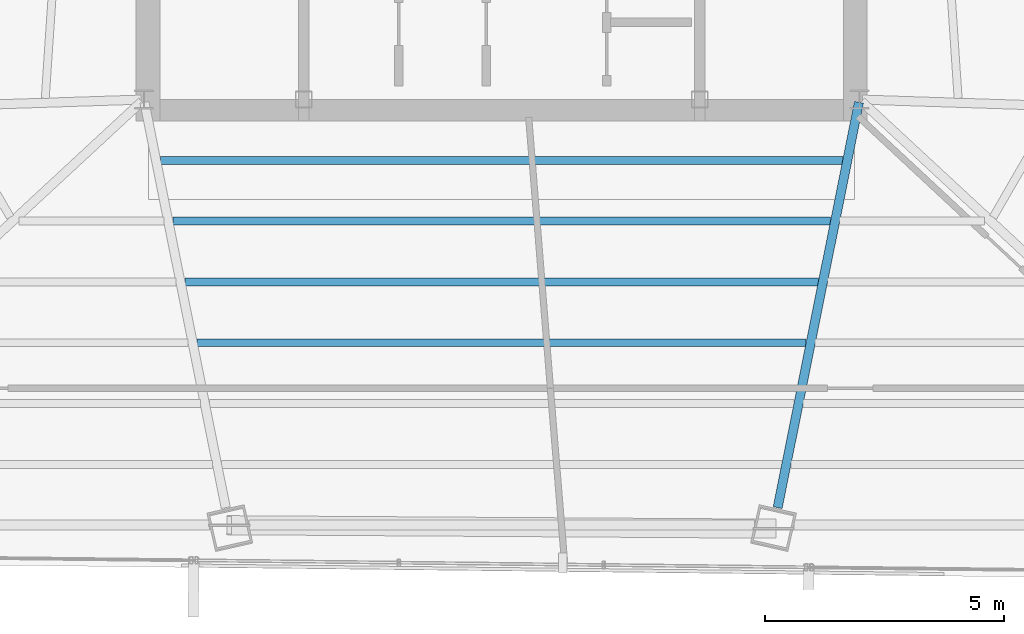
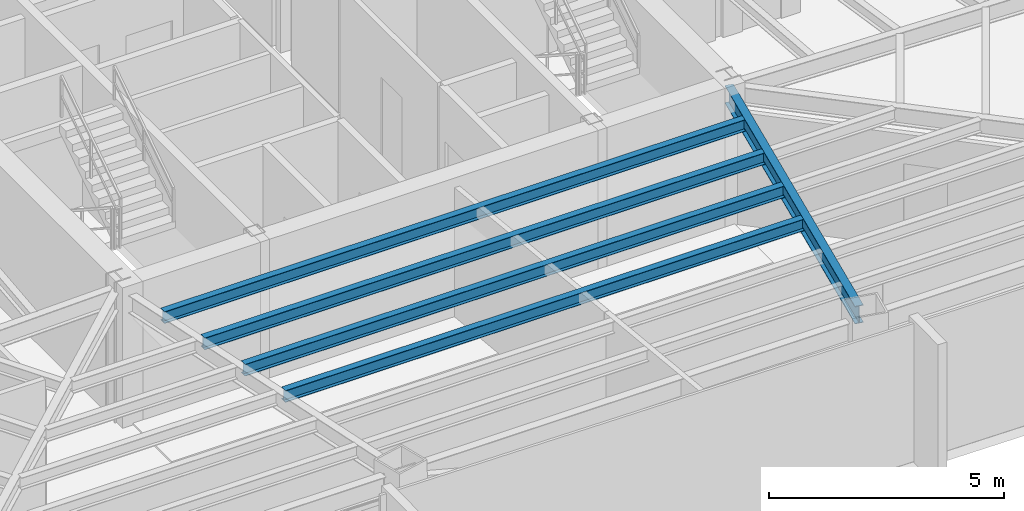
# One storey, part 11 of 41: 5 beams.
"""IFC4 building model written with IfcOpenShell, lengths in metres."""

from ifc_helpers import new_model, si_unit, direction, frame, origin, origin_2d, place, context, subcontext, project, spatial, i_section, extrude, source, transform, mapped, material, material_profile, profile_set, type_object, type_shapes, element, save


model = new_model("IFC4")

# Units and contexts
model_context = context("Model", 3, precision=1e-05, world=origin(), true_north=direction((0.0, 1.0)))
body_context = subcontext(model_context, "Body", "Model", "MODEL_VIEW")
ifc_project = project(units=[si_unit("LENGTHUNIT", "METRE"), si_unit("AREAUNIT", "SQUARE_METRE"), si_unit("VOLUMEUNIT", "CUBIC_METRE"), si_unit("PLANEANGLEUNIT", "RADIAN"), si_unit("MASSUNIT", "GRAM", prefix="KILO")], contexts=[model_context])

# Site, building, storey
site_placement = place(None, origin())
site = spatial("IfcSite", under=ifc_project, at=site_placement, CompositionType="ELEMENT")
building_placement = place(site_placement, origin())
building = spatial("IfcBuilding", under=site, at=building_placement, Name="Caelisora Broadcast Tower", CompositionType="ELEMENT")
storey_placement = place(building_placement, frame((0.0, 0.0, 209.60009765625)))
storey = spatial("IfcBuildingStorey", under=building, at=storey_placement, Name="L55", CompositionType="ELEMENT", Elevation=209.60009765625)

# Beams
ifc_material = material(Name="Steel Grade 350 (AS/NZS 3679.1)", Category="steel")
ifc_material_profile_1 = material_profile(ifc_material, i_section(OverallWidth=0.19091796875, OverallDepth=0.46044921875, WebThickness=0.010009765625, FlangeThickness=0.01611328125, at=origin_2d()), Name="Steel Grade 350 (AS/NZS 3679.1)")
ifc_profile_set_1 = profile_set([ifc_material_profile_1], Name="Steel Grade 350 (AS/NZS 3679.1)")
beam_type_1 = type_object("IfcBeamType", Name="PG06", PredefinedType="BEAM", material=ifc_profile_set_1)
shared_shape_1 = source(origin(), body_context, "Body", "SweptSolid", [
    extrude(i_section(OverallWidth=0.19091796875, OverallDepth=0.46044921875, WebThickness=0.010009765625, FlangeThickness=0.01611328125, at=origin_2d()), origin(), (0.0, 0.0, 1.0), 8.66455078125),
])
type_shapes(beam_type_1, [shared_shape_1])
beam_1_placement = place(storey_placement, frame((45.48828125, 17.34130859375, 3.169677734375), z_axis=(-0.196592958411, -0.980485190456, 0.0), x_axis=(0.980485190456, -0.196592958411, 0.0)))
element("IfcBeam", 1, at=beam_1_placement, inside=storey, type_object=beam_type_1, Name="L55 beam PG06", PredefinedType="BEAM", context=body_context, shape_type="MappedRepresentation", body=[
    mapped(shared_shape_1, transform((0.0, 0.0, 0.0), scale=1.0)),
])
ifc_material_profile_2 = material_profile(ifc_material, i_section(OverallWidth=0.166015625, OverallDepth=0.30712890625, WebThickness=0.006591796875, FlangeThickness=0.01171875, at=origin_2d()), Name="Steel Grade 350 (AS/NZS 3679.1)")
ifc_profile_set_2 = profile_set([ifc_material_profile_2], Name="Steel Grade 350 (AS/NZS 3679.1)")
beam_type_2 = type_object("IfcBeamType", Name="SB03", PredefinedType="JOIST", material=ifc_profile_set_2)
shared_shape_2 = source(origin(), body_context, "Body", "SweptSolid", [
    extrude(i_section(OverallWidth=0.166015625, OverallDepth=0.30712890625, WebThickness=0.006591796875, FlangeThickness=0.01171875, at=origin_2d()), origin(), (0.0, 0.0, 1.0), 14.2998046875),
])
beam_2_placement = place(storey_placement, frame((30.85009765625, 16.125244140625, 3.246337890625), z_axis=(1.0, 0.0, 0.0), x_axis=(0.0, 1.0, 0.0)))
element("IfcBeam", 2, at=beam_2_placement, inside=storey, type_object=beam_type_2, Name="L55 beam SB03", PredefinedType="JOIST", context=body_context, shape_type="MappedRepresentation", body=[
    mapped(shared_shape_2, transform((0.0, 0.0, 0.0), scale=1.0)),
])
shared_shape_3 = source(origin(), body_context, "Body", "SweptSolid", [
    extrude(i_section(OverallWidth=0.166015625, OverallDepth=0.30712890625, WebThickness=0.006591796875, FlangeThickness=0.01171875, at=origin_2d()), origin(), (0.0, 0.0, 1.0), 13.78857421875),
])
beam_3_placement = place(storey_placement, frame((31.105712890625, 14.8505859375, 3.246337890625), z_axis=(1.0, 0.0, 0.0), x_axis=(0.0, 1.0, 0.0)))
element("IfcBeam", 3, at=beam_3_placement, inside=storey, type_object=beam_type_2, Name="L55 beam SB03", PredefinedType="JOIST", context=body_context, shape_type="MappedRepresentation", body=[
    mapped(shared_shape_3, transform((0.0, 0.0, 0.0), scale=1.0)),
])
shared_shape_4 = source(origin(), body_context, "Body", "SweptSolid", [
    extrude(i_section(OverallWidth=0.166015625, OverallDepth=0.30712890625, WebThickness=0.006591796875, FlangeThickness=0.01171875, at=origin_2d()), origin(), (0.0, 0.0, 1.0), 13.27783203125),
])
beam_4_placement = place(storey_placement, frame((31.361083984375, 13.575927734375, 3.246337890625), z_axis=(1.0, 0.0, 0.0), x_axis=(0.0, 1.0, 0.0)))
element("IfcBeam", 4, at=beam_4_placement, inside=storey, type_object=beam_type_2, Name="L55 beam SB03", PredefinedType="JOIST", context=body_context, shape_type="MappedRepresentation", body=[
    mapped(shared_shape_4, transform((0.0, 0.0, 0.0), scale=1.0)),
])
shared_shape_5 = source(origin(), body_context, "Body", "SweptSolid", [
    extrude(i_section(OverallWidth=0.166015625, OverallDepth=0.30712890625, WebThickness=0.006591796875, FlangeThickness=0.01171875, at=origin_2d()), origin(), (0.0, 0.0, 1.0), 12.7666015625),
])
type_shapes(beam_type_2, [shared_shape_2, shared_shape_3, shared_shape_4, shared_shape_5])
beam_5_placement = place(storey_placement, frame((31.61669921875, 12.30126953125, 3.246337890625), z_axis=(1.0, 0.0, 0.0), x_axis=(0.0, 1.0, 0.0)))
element("IfcBeam", 5, at=beam_5_placement, inside=storey, type_object=beam_type_2, Name="L55 beam SB03", PredefinedType="JOIST", context=body_context, shape_type="MappedRepresentation", body=[
    mapped(shared_shape_5, transform((0.0, 0.0, 0.0), scale=1.0)),
])

save(model, "model.ifc")
